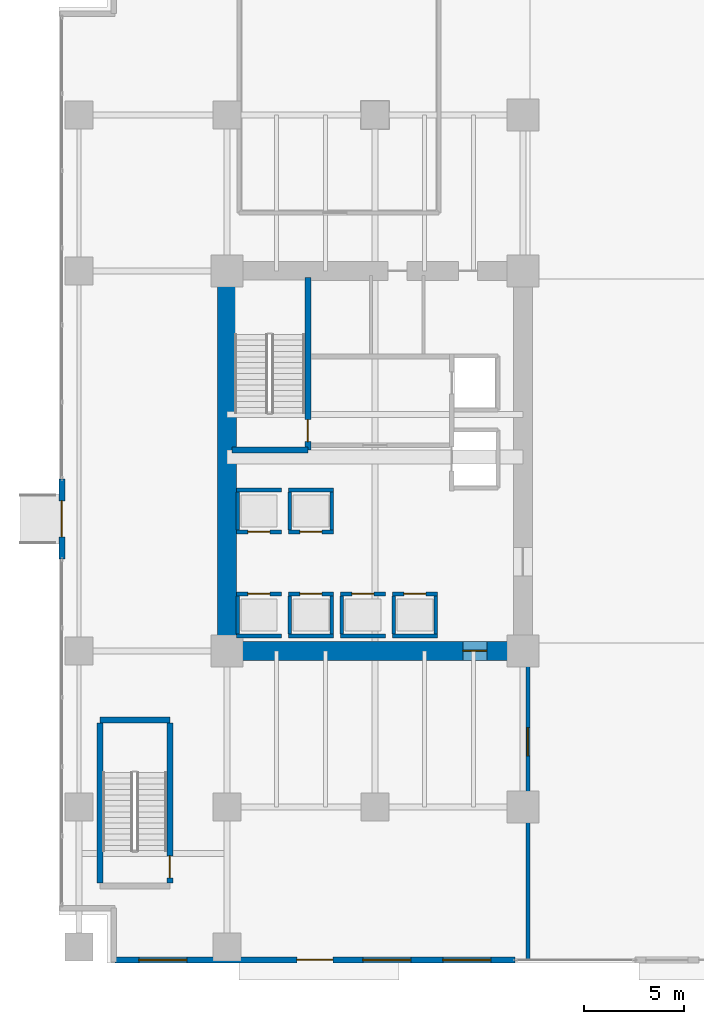
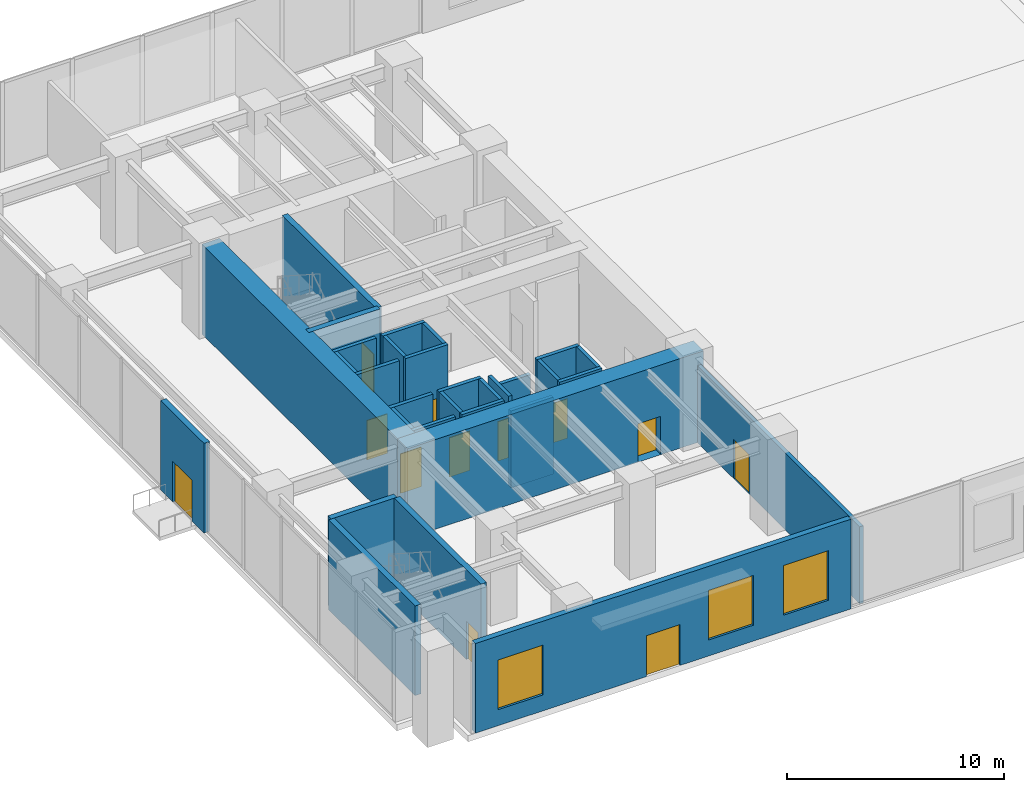
# One storey, part 19 of 28: 31 walls, 12 doors, 3 windows, 15 openings.
"""IFC4 building model written with IfcOpenShell, lengths in metres."""

from ifc_helpers import new_model, si_unit, direction, frame, frame_2d, origin, place, context, subcontext, project, spatial, rectangle, extrude, source, transform, mapped, material, layer, layer_set, type_object, type_shapes, element, fill, save


model = new_model("IFC4")

# Units and contexts
model_context = context("Model", 3, precision=1e-05, world=origin(), true_north=direction((0.0, 1.0)))
body_context = subcontext(model_context, "Body", "Model", "MODEL_VIEW")
ifc_project = project(units=[si_unit("LENGTHUNIT", "METRE"), si_unit("AREAUNIT", "SQUARE_METRE"), si_unit("VOLUMEUNIT", "CUBIC_METRE"), si_unit("PLANEANGLEUNIT", "RADIAN"), si_unit("MASSUNIT", "GRAM", prefix="KILO")], contexts=[model_context])

# Site, building, storey
site_placement = place(None, origin())
site = spatial("IfcSite", under=ifc_project, at=site_placement, CompositionType="ELEMENT")
building_placement = place(site_placement, origin())
building = spatial("IfcBuilding", under=site, at=building_placement, Name="Haelvirn Gate Laboratories", CompositionType="ELEMENT")
storey_placement = place(building_placement, origin())
storey = spatial("IfcBuildingStorey", under=building, at=storey_placement, Name="L01", CompositionType="ELEMENT", Elevation=0.0)

# Wall, openings, door, windows
ifc_material_1 = material(Name="Concrete C40/50", Category="concrete")
ifc_layer_1 = layer(ifc_material_1, 0.300048828125, Name="EW-CONC-300")
ifc_layer_set_1 = layer_set([ifc_layer_1], Name="Concrete C40/50")
wall_type_1 = type_object("IfcWallType", Name="EW-CONC-300", PredefinedType="STANDARD", material=ifc_layer_set_1)
wall_1_placement = place(storey_placement, frame((21.800048828125, -0.64990234375, 0.0), z_axis=(0.0, 0.0, 1.0), x_axis=(-1.0, 0.0, 0.0)))
wall_1 = element("IfcWall", 1, at=wall_1_placement, inside=storey, type_object=wall_type_1, Name="L01 W Final Exit Facade Wall", PredefinedType="STANDARD", context=body_context, shape_type="SweptSolid", body=[
    extrude(rectangle(XDim=20.0, YDim=0.300048828125, at=frame_2d((10.0, 0.0))), origin(), (0.0, 0.0, 1.0), 5.050048828125),
])
opening_1_placement = place(wall_1_placement, frame((9.10009765625, 0.0, 0.0)))
opening_1 = element("IfcOpeningElement", 2, at=opening_1_placement, cuts=wall_1, Name="Opening ED2", PredefinedType="OPENING", context=body_context, shape_type="SweptSolid", body=[
    extrude(rectangle(XDim=1.800048828125, YDim=2.300048828125, at=frame_2d((0.89990234375, 1.14990234375))), frame((0.0, 0.16015625, 0.0), z_axis=(0.0, -1.0, 0.0), x_axis=(1.0, 0.0, 0.0)), (0.0, 0.0, 1.0), 0.320068359375),
])
opening_2_placement = place(wall_1_placement, frame((1.199951171875, 0.0, 0.89990234375)))
opening_2 = element("IfcOpeningElement", 3, at=opening_2_placement, cuts=wall_1, Name="Opening W1", PredefinedType="OPENING", context=body_context, shape_type="SweptSolid", body=[
    extrude(rectangle(XDim=2.39990234375, YDim=2.800048828125, at=frame_2d((1.199951171875, 1.39990234375))), frame((0.0, 0.16015625, 0.0), z_axis=(0.0, -1.0, 0.0), x_axis=(1.0, 0.0, 0.0)), (0.0, 0.0, 1.0), 0.320068359375),
])
opening_3_placement = place(wall_1_placement, frame((5.199951171875, 0.0, 0.89990234375)))
opening_3 = element("IfcOpeningElement", 4, at=opening_3_placement, cuts=wall_1, Name="Opening W1", PredefinedType="OPENING", context=body_context, shape_type="SweptSolid", body=[
    extrude(rectangle(XDim=2.39990234375, YDim=2.800048828125, at=frame_2d((1.199951171875, 1.39990234375))), frame((0.0, 0.16015625, 0.0), z_axis=(0.0, -1.0, 0.0), x_axis=(1.0, 0.0, 0.0)), (0.0, 0.0, 1.0), 0.320068359375),
])
opening_4_placement = place(wall_1_placement, frame((16.39990234375, 0.0, 0.89990234375)))
opening_4 = element("IfcOpeningElement", 5, at=opening_4_placement, cuts=wall_1, Name="Opening W1", PredefinedType="OPENING", context=body_context, shape_type="SweptSolid", body=[
    extrude(rectangle(XDim=2.39990234375, YDim=2.800048828125, at=frame_2d((1.199951171875, 1.39990234375))), frame((0.0, 0.16015625, 0.0), z_axis=(0.0, -1.0, 0.0), x_axis=(1.0, 0.0, 0.0)), (0.0, 0.0, 1.0), 0.320068359375),
])
ifc_material_2 = material(Name="Fire-rated bronze-clad steel SM355 panic exit door", Category="steel")
door_type_1 = type_object("IfcDoorType", Name="DR-EXIT-1800", OperationType="NOTDEFINED", PredefinedType="DOOR", material=ifc_material_2)
shared_shape_1 = source(origin(), body_context, "Body", "SweptSolid", [
    extrude(rectangle(XDim=1.800048828125, YDim=2.300048828125, at=frame_2d((0.89990234375, 1.14990234375))), frame((0.0, 0.02490234375, 0.0), z_axis=(0.0, -1.0, 0.0), x_axis=(1.0, 0.0, 0.0)), (0.0, 0.0, 1.0), 0.050048828125),
])
type_shapes(door_type_1, [shared_shape_1])
door_1_placement = place(opening_1_placement, origin())
door_1 = element("IfcDoor", 6, at=door_1_placement, inside=storey, type_object=door_type_1, Name="L01 W Final Street Exit Door", OperationType="DOUBLE_DOOR_SINGLE_SWING", OverallHeight=2.300048828125, OverallWidth=1.800048828125, PredefinedType="DOOR", context=body_context, shape_type="MappedRepresentation", body=[
    mapped(shared_shape_1, transform((0.0, 0.0, 0.0), scale=1.0)),
])
fill(opening_1, door_1)
ifc_material_3 = material(Name="Bronze anodised aluminium & triple low-E glass", Category="aluminium")
window_type = type_object("IfcWindowType", Name="WIN-CONC-2400", PartitioningType="SINGLE_PANEL", PredefinedType="WINDOW", material=ifc_material_3)
shared_shape_2 = source(origin(), body_context, "Body", "SweptSolid", [
    extrude(rectangle(XDim=2.39990234375, YDim=2.800048828125, at=frame_2d((1.199951171875, 1.39990234375))), frame((0.0, 0.030029296875, 0.0), z_axis=(0.0, -1.0, 0.0), x_axis=(1.0, 0.0, 0.0)), (0.0, 0.0, 1.0), 0.06005859375),
])
type_shapes(window_type, [shared_shape_2])
window_1_placement = place(opening_2_placement, origin())
window_1 = element("IfcWindow", 7, at=window_1_placement, inside=storey, type_object=window_type, Name="L01 South W Facade Window 1", OverallHeight=2.800048828125, OverallWidth=2.39990234375, PartitioningType="SINGLE_PANEL", PredefinedType="WINDOW", context=body_context, shape_type="MappedRepresentation", body=[
    mapped(shared_shape_2, transform((0.0, 0.0, 0.0), scale=1.0)),
])
fill(opening_2, window_1)
window_2_placement = place(opening_3_placement, origin())
window_2 = element("IfcWindow", 8, at=window_2_placement, inside=storey, type_object=window_type, Name="L01 South W Facade Window 2", OverallHeight=2.800048828125, OverallWidth=2.39990234375, PartitioningType="SINGLE_PANEL", PredefinedType="WINDOW", context=body_context, shape_type="MappedRepresentation", body=[
    mapped(shared_shape_2, transform((0.0, 0.0, 0.0), scale=1.0)),
])
fill(opening_3, window_2)
window_3_placement = place(opening_4_placement, origin())
window_3 = element("IfcWindow", 9, at=window_3_placement, inside=storey, type_object=window_type, Name="L01 South W Facade Window 3", OverallHeight=2.800048828125, OverallWidth=2.39990234375, PartitioningType="SINGLE_PANEL", PredefinedType="WINDOW", context=body_context, shape_type="MappedRepresentation", body=[
    mapped(shared_shape_2, transform((0.0, 0.0, 0.0), scale=1.0)),
])
fill(opening_4, window_3)

# Wall, opening, door
wall_2_placement = place(storey_placement, frame((-0.85009765625, 23.39990234375, 0.0), z_axis=(0.0, 0.0, 1.0), x_axis=(0.0, -1.0, 0.0)))
wall_2 = element("IfcWall", 10, at=wall_2_placement, inside=storey, type_object=wall_type_1, Name="L01 W Accessible Entrance Wall", PredefinedType="STANDARD", context=body_context, shape_type="SweptSolid", body=[
    extrude(rectangle(XDim=4.0, YDim=0.300048828125, at=frame_2d((2.0, 0.0))), origin(), (0.0, 0.0, 1.0), 5.050048828125),
])
opening_5_placement = place(wall_2_placement, frame((1.10009765625, 0.0, 0.0)))
opening_5 = element("IfcOpeningElement", 11, at=opening_5_placement, cuts=wall_2, Name="Opening ED2", PredefinedType="OPENING", context=body_context, shape_type="SweptSolid", body=[
    extrude(rectangle(XDim=1.800048828125, YDim=2.300048828125, at=frame_2d((0.89990234375, 1.14990234375))), frame((0.0, 0.16015625, 0.0), z_axis=(0.0, -1.0, 0.0), x_axis=(1.0, 0.0, 0.0)), (0.0, 0.0, 1.0), 0.320068359375),
])
door_2_placement = place(opening_5_placement, origin())
door_2 = element("IfcDoor", 12, at=door_2_placement, inside=storey, type_object=door_type_1, Name="L01 W Step-Free Concourse Entrance Door", OperationType="DOUBLE_DOOR_SINGLE_SWING", OverallHeight=2.300048828125, OverallWidth=1.800048828125, PredefinedType="DOOR", context=body_context, shape_type="MappedRepresentation", body=[
    mapped(shared_shape_1, transform((0.0, 0.0, 0.0), scale=1.0)),
])
fill(opening_5, door_2)

# Walls
ifc_layer_2 = layer(ifc_material_1, 0.179931640625, Name="IW-SHAFT-180")
ifc_layer_set_2 = layer_set([ifc_layer_2], Name="Concrete C40/50")
wall_type_2 = type_object("IfcWallType", Name="IW-SHAFT-180", PredefinedType="SOLIDWALL", material=ifc_layer_set_2)
for number, where, z_axis, x_axis, name in (
    (13, (7.949951171875, 15.64990234375, 0.0), (0.0, 0.0, 1.0), (0.0, 1.0, 0.0), "L01 Interior Wall IW-L01-PL1-SD"),
    (14, (10.550048828125, 15.64990234375, 0.0), (0.0, 0.0, 1.0), (0.0, 1.0, 0.0), "L01 Interior Wall IW-L01-PL2-SD"),
    (15, (12.64990234375, 15.64990234375, 0.0), (0.0, 0.0, 1.0), (0.0, 1.0, 0.0), "L01 Interior Wall IW-L01-PL2-SDE"),
    (16, (13.14990234375, 15.64990234375, 0.0), (0.0, 0.0, 1.0), (0.0, 1.0, 0.0), "L01 Interior Wall IW-L01-PL5-SD"),
    (17, (15.75, 15.64990234375, 0.0), (0.0, 0.0, 1.0), (0.0, 1.0, 0.0), "L01 Interior Wall IW-L01-PL6-SD"),
    (18, (17.85009765625, 15.64990234375, 0.0), (0.0, 0.0, 1.0), (0.0, 1.0, 0.0), "L01 Interior Wall IW-L01-PL6-SDE"),
):
    element("IfcWall", number, at=place(storey_placement, frame(where, z_axis=z_axis, x_axis=x_axis)), inside=storey, type_object=wall_type_2, Name=name, PredefinedType="SOLIDWALL", context=body_context, shape_type="SweptSolid", body=[
        extrude(rectangle(XDim=1.900146484375, YDim=0.179931640625, at=frame_2d((0.9501953125, 0.0))), origin(), (0.0, 0.0, 1.0), 5.050048828125),
    ])
for number, where, z_axis, x_axis, name in (
    (19, (7.949951171875, 20.85009765625, 0.0), (0.0, 0.0, 1.0), (0.0, 1.0, 0.0), "L01 Interior Wall IW-L01-PL9-SD"),
    (20, (10.550048828125, 20.85009765625, 0.0), (0.0, 0.0, 1.0), (0.0, 1.0, 0.0), "L01 Interior Wall IW-L01-PL10-SD"),
    (21, (12.64990234375, 20.85009765625, 0.0), (0.0, 0.0, 1.0), (0.0, 1.0, 0.0), "L01 Interior Wall IW-L01-PL10-SDE"),
):
    element("IfcWall", number, at=place(storey_placement, frame(where, z_axis=z_axis, x_axis=x_axis)), inside=storey, type_object=wall_type_2, Name=name, PredefinedType="SOLIDWALL", context=body_context, shape_type="SweptSolid", body=[
        extrude(rectangle(XDim=1.89990234375, YDim=0.179931640625, at=frame_2d((0.949951171875, 0.0))), origin(), (0.0, 0.0, 1.0), 5.050048828125),
    ])

# Wall, opening, door
ifc_layer_3 = layer(ifc_material_1, 0.199951171875, Name="IW-SHAFT-200")
ifc_layer_set_3 = layer_set([ifc_layer_3], Name="Concrete C40/50")
wall_type_3 = type_object("IfcWallType", Name="IW-SHAFT-200", PredefinedType="SOLIDWALL", material=ifc_layer_set_3)
wall_3_placement = place(storey_placement, frame((7.8701171875, 17.64990234375, 0.0), z_axis=(0.0, 0.0, 1.0), x_axis=(1.0, 0.0, 0.0)))
wall_3 = element("IfcWall", 22, at=wall_3_placement, inside=storey, type_object=wall_type_3, Name="L01 Interior Wall IW-L01-PL1-FR", PredefinedType="SOLIDWALL", context=body_context, shape_type="SweptSolid", body=[
    extrude(rectangle(XDim=2.259765625, YDim=0.199951171875, at=frame_2d((1.1298828125, 0.0))), origin(), (0.0, 0.0, 1.0), 5.050048828125),
])
opening_6_placement = place(wall_3_placement, frame((0.580078125, 0.0, 0.0)))
opening_6 = element("IfcOpeningElement", 23, at=opening_6_placement, cuts=wall_3, Name="Opening LD2", PredefinedType="OPENING", context=body_context, shape_type="SweptSolid", body=[
    extrude(rectangle(XDim=1.10009765625, YDim=2.219970703125, at=frame_2d((0.550048828125, 1.10986328125))), frame((0.0, 0.10986328125, 0.0), z_axis=(0.0, -1.0, 0.0), x_axis=(1.0, 0.0, 0.0)), (0.0, 0.0, 1.0), 0.219970703125),
])
ifc_material_4 = material(Name="Bronze stainless 316L sliding lift landing door")
door_type_2 = type_object("IfcDoorType", Name="DR-LD-1100", OperationType="NOTDEFINED", PredefinedType="USERDEFINED", material=ifc_material_4)
shared_shape_3 = source(origin(), body_context, "Body", "SweptSolid", [
    extrude(rectangle(XDim=1.10009765625, YDim=2.219970703125, at=frame_2d((0.550048828125, 1.10986328125))), frame((0.0, 0.02490234375, 0.0), z_axis=(0.0, -1.0, 0.0), x_axis=(1.0, 0.0, 0.0)), (0.0, 0.0, 1.0), 0.050048828125),
])
type_shapes(door_type_2, [shared_shape_3])
door_3_placement = place(opening_6_placement, origin())
door_3 = element("IfcDoor", 24, at=door_3_placement, inside=storey, type_object=door_type_2, Name="L01 Passenger Lift PL1 Landing Door", ObjectType="LANDING_DOOR", OperationType="SLIDING_TO_LEFT", OverallHeight=2.219970703125, OverallWidth=1.10009765625, PredefinedType="USERDEFINED", context=body_context, shape_type="MappedRepresentation", body=[
    mapped(shared_shape_3, transform((0.0, 0.0, 0.0), scale=1.0)),
])
fill(opening_6, door_3)

# Wall
wall_4_placement = place(storey_placement, frame((7.8701171875, 15.550048828125, 0.0), z_axis=(0.0, 0.0, 1.0), x_axis=(1.0, 0.0, 0.0)))
element("IfcWall", 25, at=wall_4_placement, inside=storey, type_object=wall_type_3, Name="L01 Interior Wall IW-L01-PL1-BK", PredefinedType="SOLIDWALL", context=body_context, shape_type="SweptSolid", body=[
    extrude(rectangle(XDim=2.259765625, YDim=0.199951171875, at=frame_2d((1.1298828125, 0.0))), origin(), (0.0, 0.0, 1.0), 5.050048828125),
])

# Wall, opening, door
wall_5_placement = place(storey_placement, frame((10.469970703125, 17.64990234375, 0.0), z_axis=(0.0, 0.0, 1.0), x_axis=(1.0, 0.0, 0.0)))
wall_5 = element("IfcWall", 26, at=wall_5_placement, inside=storey, type_object=wall_type_3, Name="L01 Interior Wall IW-L01-PL2-FR", PredefinedType="SOLIDWALL", context=body_context, shape_type="SweptSolid", body=[
    extrude(rectangle(XDim=2.260009765625, YDim=0.199951171875, at=frame_2d((1.1298828125, 0.0))), origin(), (0.0, 0.0, 1.0), 5.050048828125),
])
opening_7_placement = place(wall_5_placement, frame((0.580078125, 0.0, 0.0)))
opening_7 = element("IfcOpeningElement", 27, at=opening_7_placement, cuts=wall_5, Name="Opening LD2", PredefinedType="OPENING", context=body_context, shape_type="SweptSolid", body=[
    extrude(rectangle(XDim=1.10009765625, YDim=2.219970703125, at=frame_2d((0.550048828125, 1.10986328125))), frame((0.0, 0.10986328125, 0.0), z_axis=(0.0, -1.0, 0.0), x_axis=(1.0, 0.0, 0.0)), (0.0, 0.0, 1.0), 0.219970703125),
])
door_4_placement = place(opening_7_placement, origin())
door_4 = element("IfcDoor", 28, at=door_4_placement, inside=storey, type_object=door_type_2, Name="L01 Passenger Lift PL2 Landing Door", ObjectType="LANDING_DOOR", OperationType="SLIDING_TO_RIGHT", OverallHeight=2.219970703125, OverallWidth=1.10009765625, PredefinedType="USERDEFINED", context=body_context, shape_type="MappedRepresentation", body=[
    mapped(shared_shape_3, transform((0.0, 0.0, 0.0), scale=1.0)),
])
fill(opening_7, door_4)

# Wall
wall_6_placement = place(storey_placement, frame((10.469970703125, 15.550048828125, 0.0), z_axis=(0.0, 0.0, 1.0), x_axis=(1.0, 0.0, 0.0)))
element("IfcWall", 29, at=wall_6_placement, inside=storey, type_object=wall_type_3, Name="L01 Interior Wall IW-L01-PL2-BK", PredefinedType="SOLIDWALL", context=body_context, shape_type="SweptSolid", body=[
    extrude(rectangle(XDim=2.260009765625, YDim=0.199951171875, at=frame_2d((1.1298828125, 0.0))), origin(), (0.0, 0.0, 1.0), 5.050048828125),
])

# Wall, opening, door
wall_7_placement = place(storey_placement, frame((13.070068359375, 17.64990234375, 0.0), z_axis=(0.0, 0.0, 1.0), x_axis=(1.0, 0.0, 0.0)))
wall_7 = element("IfcWall", 30, at=wall_7_placement, inside=storey, type_object=wall_type_3, Name="L01 Interior Wall IW-L01-PL5-FR", PredefinedType="SOLIDWALL", context=body_context, shape_type="SweptSolid", body=[
    extrude(rectangle(XDim=2.260009765625, YDim=0.199951171875, at=frame_2d((1.1298828125, 0.0))), origin(), (0.0, 0.0, 1.0), 4.3349609375),
])
opening_8_placement = place(wall_7_placement, frame((0.580078125, 0.0, 0.0)))
opening_8 = element("IfcOpeningElement", 31, at=opening_8_placement, cuts=wall_7, Name="Opening LD2", PredefinedType="OPENING", context=body_context, shape_type="SweptSolid", body=[
    extrude(rectangle(XDim=1.10009765625, YDim=2.219970703125, at=frame_2d((0.550048828125, 1.10986328125))), frame((0.0, 0.10986328125, 0.0), z_axis=(0.0, -1.0, 0.0), x_axis=(1.0, 0.0, 0.0)), (0.0, 0.0, 1.0), 0.219970703125),
])
door_5_placement = place(opening_8_placement, origin())
door_5 = element("IfcDoor", 32, at=door_5_placement, inside=storey, type_object=door_type_2, Name="L01 Passenger Lift PL5 Landing Door", ObjectType="LANDING_DOOR", OperationType="SLIDING_TO_LEFT", OverallHeight=2.219970703125, OverallWidth=1.10009765625, PredefinedType="USERDEFINED", context=body_context, shape_type="MappedRepresentation", body=[
    mapped(shared_shape_3, transform((0.0, 0.0, 0.0), scale=1.0)),
])
fill(opening_8, door_5)

# Wall
wall_8_placement = place(storey_placement, frame((13.070068359375, 15.550048828125, 0.0), z_axis=(0.0, 0.0, 1.0), x_axis=(1.0, 0.0, 0.0)))
element("IfcWall", 33, at=wall_8_placement, inside=storey, type_object=wall_type_3, Name="L01 Interior Wall IW-L01-PL5-BK", PredefinedType="SOLIDWALL", context=body_context, shape_type="SweptSolid", body=[
    extrude(rectangle(XDim=2.260009765625, YDim=0.199951171875, at=frame_2d((1.1298828125, 0.0))), origin(), (0.0, 0.0, 1.0), 4.3349609375),
])

# Wall, opening, door
wall_9_placement = place(storey_placement, frame((15.669921875, 17.64990234375, 0.0), z_axis=(0.0, 0.0, 1.0), x_axis=(1.0, 0.0, 0.0)))
wall_9 = element("IfcWall", 34, at=wall_9_placement, inside=storey, type_object=wall_type_3, Name="L01 Interior Wall IW-L01-PL6-FR", PredefinedType="SOLIDWALL", context=body_context, shape_type="SweptSolid", body=[
    extrude(rectangle(XDim=2.260009765625, YDim=0.199951171875, at=frame_2d((1.1298828125, 0.0))), origin(), (0.0, 0.0, 1.0), 5.050048828125),
])
opening_9_placement = place(wall_9_placement, frame((0.580078125, 0.0, 0.0)))
opening_9 = element("IfcOpeningElement", 35, at=opening_9_placement, cuts=wall_9, Name="Opening LD2", PredefinedType="OPENING", context=body_context, shape_type="SweptSolid", body=[
    extrude(rectangle(XDim=1.10009765625, YDim=2.219970703125, at=frame_2d((0.550048828125, 1.10986328125))), frame((0.0, 0.10986328125, 0.0), z_axis=(0.0, -1.0, 0.0), x_axis=(1.0, 0.0, 0.0)), (0.0, 0.0, 1.0), 0.219970703125),
])
door_6_placement = place(opening_9_placement, origin())
door_6 = element("IfcDoor", 36, at=door_6_placement, inside=storey, type_object=door_type_2, Name="L01 Passenger Lift PL6 Landing Door", ObjectType="LANDING_DOOR", OperationType="SLIDING_TO_RIGHT", OverallHeight=2.219970703125, OverallWidth=1.10009765625, PredefinedType="USERDEFINED", context=body_context, shape_type="MappedRepresentation", body=[
    mapped(shared_shape_3, transform((0.0, 0.0, 0.0), scale=1.0)),
])
fill(opening_9, door_6)

# Wall
wall_10_placement = place(storey_placement, frame((15.669921875, 15.550048828125, 0.0), z_axis=(0.0, 0.0, 1.0), x_axis=(1.0, 0.0, 0.0)))
element("IfcWall", 37, at=wall_10_placement, inside=storey, type_object=wall_type_3, Name="L01 Interior Wall IW-L01-PL6-BK", PredefinedType="SOLIDWALL", context=body_context, shape_type="SweptSolid", body=[
    extrude(rectangle(XDim=2.260009765625, YDim=0.199951171875, at=frame_2d((1.1298828125, 0.0))), origin(), (0.0, 0.0, 1.0), 5.050048828125),
])

# Wall, opening, door
wall_11_placement = place(storey_placement, frame((7.8701171875, 20.75, 0.0), z_axis=(0.0, 0.0, 1.0), x_axis=(1.0, 0.0, 0.0)))
wall_11 = element("IfcWall", 38, at=wall_11_placement, inside=storey, type_object=wall_type_3, Name="L01 Interior Wall IW-L01-PL9-FR", PredefinedType="SOLIDWALL", context=body_context, shape_type="SweptSolid", body=[
    extrude(rectangle(XDim=2.259765625, YDim=0.199951171875, at=frame_2d((1.1298828125, 0.0))), origin(), (0.0, 0.0, 1.0), 5.050048828125),
])
opening_10_placement = place(wall_11_placement, frame((0.580078125, 0.0, 0.0)))
opening_10 = element("IfcOpeningElement", 39, at=opening_10_placement, cuts=wall_11, Name="Opening LD2", PredefinedType="OPENING", context=body_context, shape_type="SweptSolid", body=[
    extrude(rectangle(XDim=1.10009765625, YDim=2.219970703125, at=frame_2d((0.550048828125, 1.10986328125))), frame((0.0, 0.10986328125, 0.0), z_axis=(0.0, -1.0, 0.0), x_axis=(1.0, 0.0, 0.0)), (0.0, 0.0, 1.0), 0.219970703125),
])
door_7_placement = place(opening_10_placement, origin())
door_7 = element("IfcDoor", 40, at=door_7_placement, inside=storey, type_object=door_type_2, Name="L01 Passenger Lift PL9 Landing Door", ObjectType="LANDING_DOOR", OperationType="SLIDING_TO_LEFT", OverallHeight=2.219970703125, OverallWidth=1.10009765625, PredefinedType="USERDEFINED", context=body_context, shape_type="MappedRepresentation", body=[
    mapped(shared_shape_3, transform((0.0, 0.0, 0.0), scale=1.0)),
])
fill(opening_10, door_7)

# Wall
wall_12_placement = place(storey_placement, frame((7.8701171875, 22.85009765625, 0.0), z_axis=(0.0, 0.0, 1.0), x_axis=(1.0, 0.0, 0.0)))
element("IfcWall", 41, at=wall_12_placement, inside=storey, type_object=wall_type_3, Name="L01 Interior Wall IW-L01-PL9-BK", PredefinedType="SOLIDWALL", context=body_context, shape_type="SweptSolid", body=[
    extrude(rectangle(XDim=2.259765625, YDim=0.199951171875, at=frame_2d((1.1298828125, 0.0))), origin(), (0.0, 0.0, 1.0), 5.050048828125),
])

# Wall, opening, door
wall_13_placement = place(storey_placement, frame((10.469970703125, 20.75, 0.0), z_axis=(0.0, 0.0, 1.0), x_axis=(1.0, 0.0, 0.0)))
wall_13 = element("IfcWall", 42, at=wall_13_placement, inside=storey, type_object=wall_type_3, Name="L01 Interior Wall IW-L01-PL10-FR", PredefinedType="SOLIDWALL", context=body_context, shape_type="SweptSolid", body=[
    extrude(rectangle(XDim=2.260009765625, YDim=0.199951171875, at=frame_2d((1.1298828125, 0.0))), origin(), (0.0, 0.0, 1.0), 5.050048828125),
])
opening_11_placement = place(wall_13_placement, frame((0.580078125, 0.0, 0.0)))
opening_11 = element("IfcOpeningElement", 43, at=opening_11_placement, cuts=wall_13, Name="Opening LD2", PredefinedType="OPENING", context=body_context, shape_type="SweptSolid", body=[
    extrude(rectangle(XDim=1.10009765625, YDim=2.219970703125, at=frame_2d((0.550048828125, 1.10986328125))), frame((0.0, 0.10986328125, 0.0), z_axis=(0.0, -1.0, 0.0), x_axis=(1.0, 0.0, 0.0)), (0.0, 0.0, 1.0), 0.219970703125),
])
door_8_placement = place(opening_11_placement, origin())
door_8 = element("IfcDoor", 44, at=door_8_placement, inside=storey, type_object=door_type_2, Name="L01 Passenger Lift PL10 Landing Door", ObjectType="LANDING_DOOR", OperationType="SLIDING_TO_RIGHT", OverallHeight=2.219970703125, OverallWidth=1.10009765625, PredefinedType="USERDEFINED", context=body_context, shape_type="MappedRepresentation", body=[
    mapped(shared_shape_3, transform((0.0, 0.0, 0.0), scale=1.0)),
])
fill(opening_11, door_8)

# Wall
wall_14_placement = place(storey_placement, frame((10.469970703125, 22.85009765625, 0.0), z_axis=(0.0, 0.0, 1.0), x_axis=(1.0, 0.0, 0.0)))
element("IfcWall", 45, at=wall_14_placement, inside=storey, type_object=wall_type_3, Name="L01 Interior Wall IW-L01-PL10-BK", PredefinedType="SOLIDWALL", context=body_context, shape_type="SweptSolid", body=[
    extrude(rectangle(XDim=2.260009765625, YDim=0.199951171875, at=frame_2d((1.1298828125, 0.0))), origin(), (0.0, 0.0, 1.0), 5.050048828125),
])

# Wall, opening, door
wall_15_placement = place(storey_placement, frame((22.449951171875, 14.39990234375, 0.0), z_axis=(0.0, 0.0, 1.0), x_axis=(0.0, -1.0, 0.0)))
wall_15 = element("IfcWall", 46, at=wall_15_placement, inside=storey, type_object=wall_type_3, Name="L01 Interior Wall IW-L01-EXW-SEP", PredefinedType="SOLIDWALL", context=body_context, shape_type="SweptSolid", body=[
    extrude(rectangle(XDim=15.0498046875, YDim=0.199951171875, at=frame_2d((7.52490234375, 0.0))), origin(), (0.0, 0.0, 1.0), 4.3349609375),
])
opening_12_placement = place(wall_15_placement, frame((3.429931640625, 0.0, 0.0)))
opening_12 = element("IfcOpeningElement", 47, at=opening_12_placement, cuts=wall_15, Name="Opening FD1", PredefinedType="OPENING", context=body_context, shape_type="SweptSolid", body=[
    extrude(rectangle(XDim=1.419921875, YDim=2.199951171875, at=frame_2d((0.7099609375, 1.10009765625))), frame((0.0, 0.10986328125, 0.0), z_axis=(0.0, -1.0, 0.0), x_axis=(1.0, 0.0, 0.0)), (0.0, 0.0, 1.0), 0.219970703125),
])
ifc_material_5 = material(Name="Fire-rated double steel SM355 lobby door", Category="steel")
door_type_3 = type_object("IfcDoorType", Name="DR-FD-1400", OperationType="NOTDEFINED", PredefinedType="DOOR", material=ifc_material_5)
shared_shape_4 = source(origin(), body_context, "Body", "SweptSolid", [
    extrude(rectangle(XDim=1.419921875, YDim=2.199951171875, at=frame_2d((0.7099609375, 1.10009765625))), frame((0.0, 0.02490234375, 0.0), z_axis=(0.0, -1.0, 0.0), x_axis=(1.0, 0.0, 0.0)), (0.0, 0.0, 1.0), 0.050048828125),
])
type_shapes(door_type_3, [shared_shape_4])
door_9_placement = place(opening_12_placement, origin())
door_9 = element("IfcDoor", 48, at=door_9_placement, inside=storey, type_object=door_type_3, Name="L01 West Protected Exit Passage Fire Door", OperationType="DOUBLE_DOOR_SINGLE_SWING", OverallHeight=2.199951171875, OverallWidth=1.419921875, PredefinedType="DOOR", context=body_context, shape_type="MappedRepresentation", body=[
    mapped(shared_shape_4, transform((0.0, 0.0, 0.0), scale=1.0)),
])
fill(opening_12, door_9)

ifc_material_6 = material(Name="Concrete C70/85", Category="concrete")
ifc_layer_4 = layer(ifc_material_6, 0.949951171875, Name="SW-CORE-950")
ifc_layer_set_4 = layer_set([ifc_layer_4], Name="Concrete C70/85")
wall_type_4 = type_object("IfcWallType", Name="SW-CORE-950", PredefinedType="SHEAR", material=ifc_layer_set_4)
wall_16_placement = place(storey_placement, frame((6.925048828125, 14.800048828125, 0.0), z_axis=(0.0, 0.0, 1.0), x_axis=(1.0, 0.0, 0.0)))
wall_16 = element("IfcWall", 49, at=wall_16_placement, inside=storey, type_object=wall_type_4, Name="L01 W Core Shear Wall S", PredefinedType="SHEAR", context=body_context, shape_type="SweptSolid", body=[
    extrude(rectangle(XDim=15.75, YDim=0.949951171875, at=frame_2d((7.875, 0.0))), origin(), (0.0, 0.0, 1.0), 5.050048828125),
])
opening_13_placement = place(wall_16_placement, frame((12.27490234375, 0.0, 0.0)))
opening_13 = element("IfcOpeningElement", 50, at=opening_13_placement, cuts=wall_16, Name="Opening FD2", PredefinedType="OPENING", context=body_context, shape_type="SweptSolid", body=[
    extrude(rectangle(XDim=1.199951171875, YDim=2.159912109375, at=frame_2d((0.60009765625, 1.080078125))), frame((0.0, 0.48486328125, 0.0), z_axis=(0.0, -1.0, 0.0), x_axis=(1.0, 0.0, 0.0)), (0.0, 0.0, 1.0), 0.969970703125),
])
ifc_material_7 = material(Name="Fire-rated steel SM355 compartment door", Category="steel")
door_type_4 = type_object("IfcDoorType", Name="DR-FD-1200", OperationType="NOTDEFINED", PredefinedType="DOOR", material=ifc_material_7)
shared_shape_5 = source(origin(), body_context, "Body", "SweptSolid", [
    extrude(rectangle(XDim=1.199951171875, YDim=2.159912109375, at=frame_2d((0.60009765625, 1.080078125))), frame((0.0, 0.02490234375, 0.0), z_axis=(0.0, -1.0, 0.0), x_axis=(1.0, 0.0, 0.0)), (0.0, 0.0, 1.0), 0.050048828125),
])
type_shapes(door_type_4, [shared_shape_5])
door_10_placement = place(opening_13_placement, origin())
door_10 = element("IfcDoor", 51, at=door_10_placement, inside=storey, type_object=door_type_4, Name="L01 West Core Protected Exit Discharge Door", OperationType="SINGLE_SWING_LEFT", OverallHeight=2.159912109375, OverallWidth=1.199951171875, PredefinedType="DOOR", context=body_context, shape_type="MappedRepresentation", body=[
    mapped(shared_shape_5, transform((0.0, 0.0, 0.0), scale=1.0)),
])
fill(opening_13, door_10)

# Wall
wall_17_placement = place(storey_placement, frame((7.39990234375, 15.27490234375, 0.0), z_axis=(0.0, 0.0, 1.0), x_axis=(0.0, 1.0, 0.0)))
element("IfcWall", 52, at=wall_17_placement, inside=storey, type_object=wall_type_4, Name="L01 W Core Shear Wall W", PredefinedType="SHEAR", context=body_context, shape_type="SweptSolid", body=[
    extrude(rectangle(XDim=18.050048828125, YDim=0.949951171875, at=frame_2d((9.02490234375, 0.0))), origin(), (0.0, 0.0, 1.0), 5.050048828125),
])

# Wall, opening, door
ifc_material_8 = material(Name="Concrete C50/60", Category="concrete")
ifc_layer_5 = layer(ifc_material_8, 0.300048828125, Name="SW-STAIR-300")
ifc_layer_set_5 = layer_set([ifc_layer_5], Name="Concrete C50/60")
wall_type_5 = type_object("IfcWallType", Name="SW-STAIR-300", PredefinedType="SHEAR", material=ifc_layer_set_5)
wall_18_placement = place(storey_placement, frame((11.449951171875, 24.85009765625, 0.0), z_axis=(0.0, 0.0, 1.0), x_axis=(0.0, 1.0, 0.0)))
wall_18 = element("IfcWall", 53, at=wall_18_placement, inside=storey, type_object=wall_type_5, Name="L01 W Core Stair Shaft Structural Wall IN", PredefinedType="SHEAR", context=body_context, shape_type="SweptSolid", body=[
    extrude(rectangle(XDim=8.6298828125, YDim=0.300048828125, at=frame_2d((4.31494140625, 0.0))), origin(), (0.0, 0.0, 1.0), 5.050048828125),
])
opening_14_placement = place(wall_18_placement, frame((0.419921875, 0.0, 0.0)))
opening_14 = element("IfcOpeningElement", 54, at=opening_14_placement, cuts=wall_18, Name="Opening FD3", PredefinedType="OPENING", context=body_context, shape_type="SweptSolid", body=[
    extrude(rectangle(XDim=1.10009765625, YDim=2.14990234375, at=frame_2d((0.550048828125, 1.074951171875))), frame((0.0, 0.16015625, 0.0), z_axis=(0.0, -1.0, 0.0), x_axis=(1.0, 0.0, 0.0)), (0.0, 0.0, 1.0), 0.320068359375),
])
ifc_material_9 = material(Name="Fire-rated steel SM355 escape stair door", Category="steel")
door_type_5 = type_object("IfcDoorType", Name="DR-FD-1100", OperationType="NOTDEFINED", PredefinedType="DOOR", material=ifc_material_9)
shared_shape_6 = source(origin(), body_context, "Body", "SweptSolid", [
    extrude(rectangle(XDim=1.10009765625, YDim=2.14990234375, at=frame_2d((0.550048828125, 1.074951171875))), frame((0.0, 0.02490234375, 0.0), z_axis=(0.0, -1.0, 0.0), x_axis=(1.0, 0.0, 0.0)), (0.0, 0.0, 1.0), 0.050048828125),
])
type_shapes(door_type_5, [shared_shape_6])
door_11_placement = place(opening_14_placement, origin())
door_11 = element("IfcDoor", 55, at=door_11_placement, inside=storey, type_object=door_type_5, Name="L01 Escape Stair ST1 Fire Door", OperationType="SINGLE_SWING_LEFT", OverallHeight=2.14990234375, OverallWidth=1.10009765625, PredefinedType="DOOR", context=body_context, shape_type="MappedRepresentation", body=[
    mapped(shared_shape_6, transform((0.0, 0.0, 0.0), scale=1.0)),
])
fill(opening_14, door_11)

# Walls
wall_19_placement = place(storey_placement, frame((7.64990234375, 24.85009765625, 0.0), z_axis=(0.0, 0.0, 1.0), x_axis=(1.0, 0.0, 0.0)))
element("IfcWall", 56, at=wall_19_placement, inside=storey, type_object=wall_type_5, Name="L01 W Core Stair Shaft Structural Wall S", PredefinedType="SHEAR", context=body_context, shape_type="SweptSolid", body=[
    extrude(rectangle(XDim=3.800048828125, YDim=0.300048828125, at=frame_2d((1.89990234375, 0.0))), origin(), (0.0, 0.0, 1.0), 5.050048828125),
])
wall_20_placement = place(storey_placement, frame((1.050048828125, 11.35009765625, 0.0), z_axis=(0.0, 0.0, 1.0), x_axis=(1.0, 0.0, 0.0)))
element("IfcWall", 57, at=wall_20_placement, inside=storey, type_object=wall_type_5, Name="L01 Podium Stair ST3 Structural Wall N", PredefinedType="SHEAR", context=body_context, shape_type="SweptSolid", body=[
    extrude(rectangle(XDim=3.5, YDim=0.300048828125, at=frame_2d((1.75, 0.0))), origin(), (0.0, 0.0, 1.0), 5.050048828125),
])
wall_21_placement = place(storey_placement, frame((1.050048828125, 3.199951171875, 0.0), z_axis=(0.0, 0.0, 1.0), x_axis=(0.0, 1.0, 0.0)))
element("IfcWall", 58, at=wall_21_placement, inside=storey, type_object=wall_type_5, Name="L01 Podium Stair ST3 Structural Wall W", PredefinedType="SHEAR", context=body_context, shape_type="SweptSolid", body=[
    extrude(rectangle(XDim=8.0, YDim=0.300048828125, at=frame_2d((4.0, 0.0))), origin(), (0.0, 0.0, 1.0), 5.050048828125),
])

# Wall, opening, door
wall_22_placement = place(storey_placement, frame((4.550048828125, 3.199951171875, 0.0), z_axis=(0.0, 0.0, 1.0), x_axis=(0.0, 1.0, 0.0)))
wall_22 = element("IfcWall", 59, at=wall_22_placement, inside=storey, type_object=wall_type_5, Name="L01 Podium Stair ST3 Structural Wall E", PredefinedType="SHEAR", context=body_context, shape_type="SweptSolid", body=[
    extrude(rectangle(XDim=8.0, YDim=0.300048828125, at=frame_2d((4.0, 0.0))), origin(), (0.0, 0.0, 1.0), 5.050048828125),
])
opening_15_placement = place(wall_22_placement, frame((0.25, 0.0, 0.0)))
opening_15 = element("IfcOpeningElement", 60, at=opening_15_placement, cuts=wall_22, Name="Opening FD3", PredefinedType="OPENING", context=body_context, shape_type="SweptSolid", body=[
    extrude(rectangle(XDim=1.10009765625, YDim=2.14990234375, at=frame_2d((0.550048828125, 1.074951171875))), frame((0.0, 0.16015625, 0.0), z_axis=(0.0, -1.0, 0.0), x_axis=(1.0, 0.0, 0.0)), (0.0, 0.0, 1.0), 0.320068359375),
])
door_12_placement = place(opening_15_placement, origin())
door_12 = element("IfcDoor", 61, at=door_12_placement, inside=storey, type_object=door_type_5, Name="L01 Escape Stair ST3 Fire Door", OperationType="SINGLE_SWING_RIGHT", OverallHeight=2.14990234375, OverallWidth=1.10009765625, PredefinedType="DOOR", context=body_context, shape_type="MappedRepresentation", body=[
    mapped(shared_shape_6, transform((0.0, 0.0, 0.0), scale=1.0)),
])
fill(opening_15, door_12)

save(model, "model.ifc")
